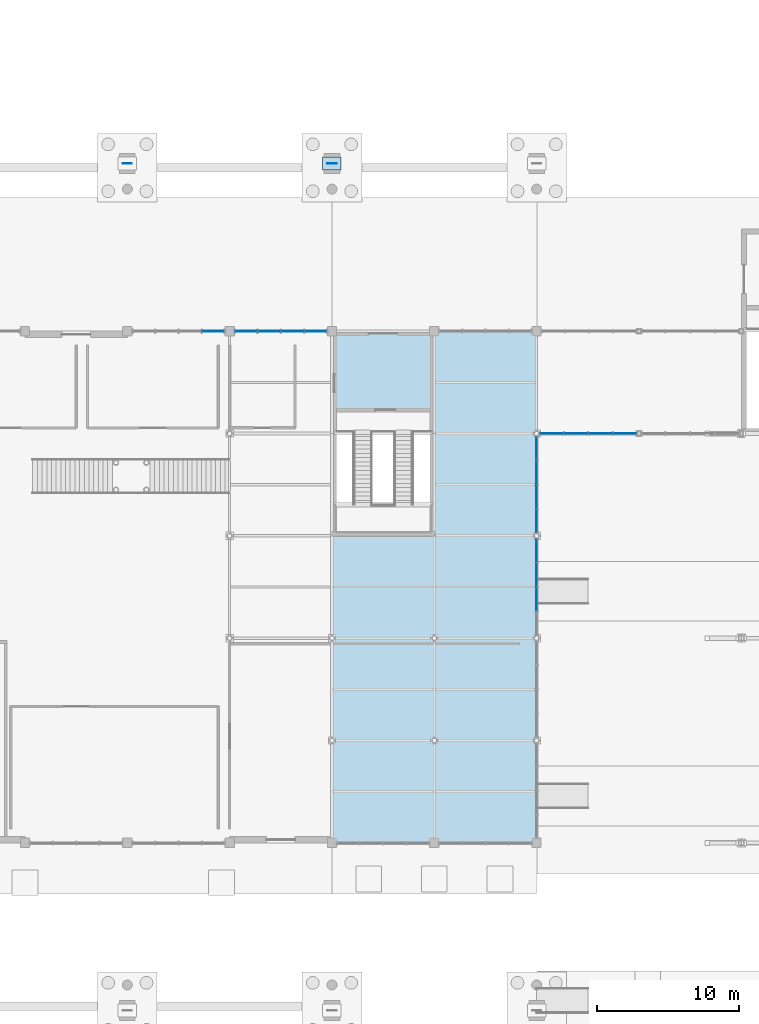
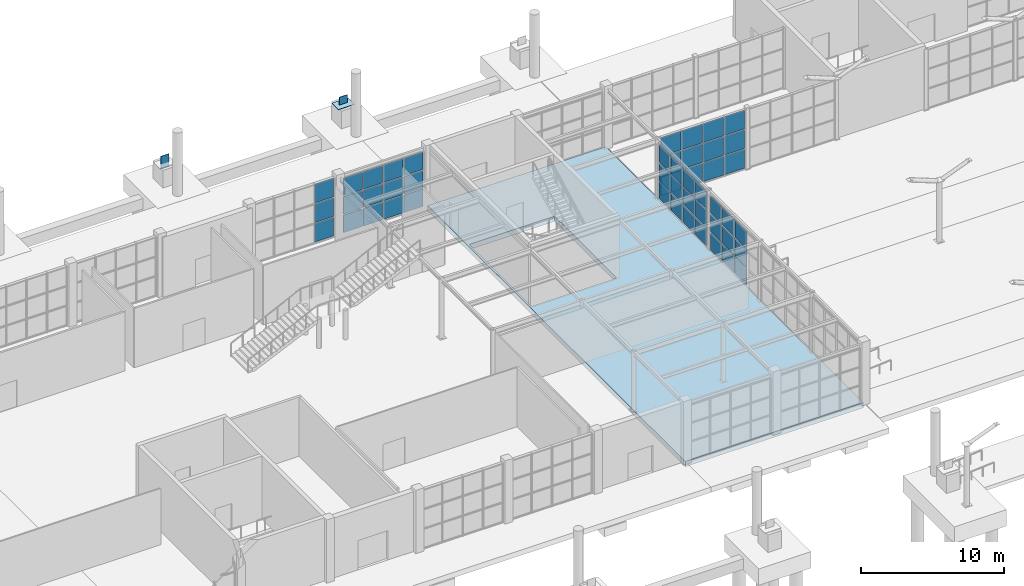
# One storey, part 45 of 75: 51 plates, 1 slab, 5 elements without a shape of their own.
"""IFC4 building model written with IfcOpenShell, lengths in metres."""

from ifc_helpers import new_model, si_unit, direction, frame, origin, origin_2d, place, context, subcontext, project, spatial, polyline, rectangle, outline, extrude, material, layer, layer_set, type_object, element, aggregate, save


model = new_model("IFC4")

# Units and contexts
model_context = context("Model", 3, precision=1e-05, world=origin(), true_north=direction((0.0, 1.0)))
body_context = subcontext(model_context, "Body", "Model", "MODEL_VIEW")
ifc_project = project(units=[si_unit("LENGTHUNIT", "METRE"), si_unit("AREAUNIT", "SQUARE_METRE"), si_unit("VOLUMEUNIT", "CUBIC_METRE"), si_unit("PLANEANGLEUNIT", "RADIAN"), si_unit("MASSUNIT", "GRAM", prefix="KILO")], contexts=[model_context])

# Site, building, storey
site_placement = place(None, origin())
site = spatial("IfcSite", under=ifc_project, at=site_placement, CompositionType="ELEMENT")
building_placement = place(site_placement, origin())
building = spatial("IfcBuilding", under=site, at=building_placement, Name="Leyfeld Transit Interchange", CompositionType="ELEMENT")
storey_placement = place(building_placement, origin())
storey = spatial("IfcBuildingStorey", under=building, at=storey_placement, Name="L00", CompositionType="ELEMENT", Elevation=0.0)

# Curtain wall, plates
ifc_material_1 = material(Name="Anodised aluminium EN AW-6060 T66", Category="aluminium")
curtain_wall_type_1 = type_object("IfcCurtainWallType", Name="CW-SYS-PAS-7200", PredefinedType="NOTDEFINED", material=ifc_material_1)
curtain_wall_1_placement = place(storey_placement, origin())
curtain_wall_1 = element("IfcCurtainWall", 1, at=curtain_wall_1_placement, inside=storey, type_object=curtain_wall_type_1, Name="Curtain Wall CW-L00-027", PredefinedType="NOTDEFINED")
ifc_material_2 = material(Name="Triple low-E insulated glazing", Category="glass")
ifc_layer_1 = layer(ifc_material_2, 0.0380859375, Name="Triple low-E insulated glazing")
ifc_layer_set_1 = layer_set([ifc_layer_1], Name="Triple low-E insulated glazing")
plate_type_1 = type_object("IfcPlateType", Name="CW-PNL-GLZ-38", PredefinedType="CURTAIN_PANEL", material=ifc_layer_set_1)
plate_1_placement = place(storey_placement, frame((107.001708984375, 43.199951171875, 0.073486328125), z_axis=(0.0, 0.0, 1.0), x_axis=(-1.0, 0.0, 0.0)))
plate_1 = element("IfcPlate", 2, at=plate_1_placement, type_object=plate_type_1, Name="Glazed Curtain Panel CW-L00-027-P01_1", PredefinedType="CURTAIN_PANEL", context=body_context, shape_type="SweptSolid", body=[
    extrude(rectangle(XDim=1.619873046875, YDim=0.0380859375, at=origin_2d()), origin(), (0.0, 0.0, 1.0), 1.60302734375),
])
plate_2_placement = place(storey_placement, frame((107.001708984375, 43.199951171875, 1.74853515625), z_axis=(0.0, 0.0, 1.0), x_axis=(-1.0, 0.0, 0.0)))
plate_2 = element("IfcPlate", 3, at=plate_2_placement, type_object=plate_type_1, Name="Glazed Curtain Panel CW-L00-027-P01_2", PredefinedType="CURTAIN_PANEL", context=body_context, shape_type="SweptSolid", body=[
    extrude(rectangle(XDim=1.619873046875, YDim=0.0380859375, at=origin_2d()), origin(), (0.0, 0.0, 1.0), 1.60302734375),
])
plate_3_placement = place(storey_placement, frame((107.001708984375, 43.199951171875, 3.423583984375), z_axis=(0.0, 0.0, 1.0), x_axis=(-1.0, 0.0, 0.0)))
plate_3 = element("IfcPlate", 4, at=plate_3_placement, type_object=plate_type_1, Name="Glazed Curtain Panel CW-L00-027-P01_3", PredefinedType="CURTAIN_PANEL", context=body_context, shape_type="SweptSolid", body=[
    extrude(rectangle(XDim=1.619873046875, YDim=0.0380859375, at=origin_2d()), origin(), (0.0, 0.0, 1.0), 1.60302734375),
])
plate_4_placement = place(storey_placement, frame((105.291015625, 43.199951171875, 0.073486328125), z_axis=(0.0, 0.0, 1.0), x_axis=(-1.0, 0.0, 0.0)))
plate_4 = element("IfcPlate", 5, at=plate_4_placement, type_object=plate_type_1, Name="Glazed Curtain Panel CW-L00-027-P02_1", PredefinedType="CURTAIN_PANEL", context=body_context, shape_type="SweptSolid", body=[
    extrude(rectangle(XDim=1.6572265625, YDim=0.0380859375, at=origin_2d()), origin(), (0.0, 0.0, 1.0), 1.60302734375),
])
plate_5_placement = place(storey_placement, frame((105.291015625, 43.199951171875, 1.74853515625), z_axis=(0.0, 0.0, 1.0), x_axis=(-1.0, 0.0, 0.0)))
plate_5 = element("IfcPlate", 6, at=plate_5_placement, type_object=plate_type_1, Name="Glazed Curtain Panel CW-L00-027-P02_2", PredefinedType="CURTAIN_PANEL", context=body_context, shape_type="SweptSolid", body=[
    extrude(rectangle(XDim=1.6572265625, YDim=0.0380859375, at=origin_2d()), origin(), (0.0, 0.0, 1.0), 1.60302734375),
])
plate_6_placement = place(storey_placement, frame((105.291015625, 43.199951171875, 3.423583984375), z_axis=(0.0, 0.0, 1.0), x_axis=(-1.0, 0.0, 0.0)))
plate_6 = element("IfcPlate", 7, at=plate_6_placement, type_object=plate_type_1, Name="Glazed Curtain Panel CW-L00-027-P02_3", PredefinedType="CURTAIN_PANEL", context=body_context, shape_type="SweptSolid", body=[
    extrude(rectangle(XDim=1.6572265625, YDim=0.0380859375, at=origin_2d()), origin(), (0.0, 0.0, 1.0), 1.60302734375),
])
plate_7_placement = place(storey_placement, frame((103.561767578125, 43.199951171875, 0.073486328125), z_axis=(0.0, 0.0, 1.0), x_axis=(-1.0, 0.0, 0.0)))
plate_7 = element("IfcPlate", 8, at=plate_7_placement, type_object=plate_type_1, Name="Glazed Curtain Panel CW-L00-027-P03_1", PredefinedType="CURTAIN_PANEL", context=body_context, shape_type="SweptSolid", body=[
    extrude(rectangle(XDim=1.6572265625, YDim=0.0380859375, at=origin_2d()), origin(), (0.0, 0.0, 1.0), 1.60302734375),
])
plate_8_placement = place(storey_placement, frame((103.561767578125, 43.199951171875, 1.74853515625), z_axis=(0.0, 0.0, 1.0), x_axis=(-1.0, 0.0, 0.0)))
plate_8 = element("IfcPlate", 9, at=plate_8_placement, type_object=plate_type_1, Name="Glazed Curtain Panel CW-L00-027-P03_2", PredefinedType="CURTAIN_PANEL", context=body_context, shape_type="SweptSolid", body=[
    extrude(rectangle(XDim=1.6572265625, YDim=0.0380859375, at=origin_2d()), origin(), (0.0, 0.0, 1.0), 1.60302734375),
])
plate_9_placement = place(storey_placement, frame((103.561767578125, 43.199951171875, 3.423583984375), z_axis=(0.0, 0.0, 1.0), x_axis=(-1.0, 0.0, 0.0)))
plate_9 = element("IfcPlate", 10, at=plate_9_placement, type_object=plate_type_1, Name="Glazed Curtain Panel CW-L00-027-P03_3", PredefinedType="CURTAIN_PANEL", context=body_context, shape_type="SweptSolid", body=[
    extrude(rectangle(XDim=1.6572265625, YDim=0.0380859375, at=origin_2d()), origin(), (0.0, 0.0, 1.0), 1.60302734375),
])
plate_10_placement = place(storey_placement, frame((101.851318359375, 43.199951171875, 0.073486328125), z_axis=(0.0, 0.0, 1.0), x_axis=(-1.0, 0.0, 0.0)))
plate_10 = element("IfcPlate", 11, at=plate_10_placement, type_object=plate_type_1, Name="Glazed Curtain Panel CW-L00-027-P04_1", PredefinedType="CURTAIN_PANEL", context=body_context, shape_type="SweptSolid", body=[
    extrude(rectangle(XDim=1.619873046875, YDim=0.0380859375, at=origin_2d()), origin(), (0.0, 0.0, 1.0), 1.60302734375),
])
plate_11_placement = place(storey_placement, frame((101.851318359375, 43.199951171875, 1.74853515625), z_axis=(0.0, 0.0, 1.0), x_axis=(-1.0, 0.0, 0.0)))
plate_11 = element("IfcPlate", 12, at=plate_11_placement, type_object=plate_type_1, Name="Glazed Curtain Panel CW-L00-027-P04_2", PredefinedType="CURTAIN_PANEL", context=body_context, shape_type="SweptSolid", body=[
    extrude(rectangle(XDim=1.619873046875, YDim=0.0380859375, at=origin_2d()), origin(), (0.0, 0.0, 1.0), 1.60302734375),
])
plate_12_placement = place(storey_placement, frame((101.851318359375, 43.199951171875, 3.423583984375), z_axis=(0.0, 0.0, 1.0), x_axis=(-1.0, 0.0, 0.0)))
plate_12 = element("IfcPlate", 13, at=plate_12_placement, type_object=plate_type_1, Name="Glazed Curtain Panel CW-L00-027-P04_3", PredefinedType="CURTAIN_PANEL", context=body_context, shape_type="SweptSolid", body=[
    extrude(rectangle(XDim=1.619873046875, YDim=0.0380859375, at=origin_2d()), origin(), (0.0, 0.0, 1.0), 1.60302734375),
])
aggregate(curtain_wall_1, [plate_1, plate_2, plate_3, plate_4, plate_5, plate_6, plate_7, plate_8, plate_9, plate_10, plate_11, plate_12])

curtain_wall_type_2 = type_object("IfcCurtainWallType", Name="CW-SYS-ARC-7200", PredefinedType="NOTDEFINED", material=ifc_material_1)
curtain_wall_2_placement = place(storey_placement, origin())
curtain_wall_2 = element("IfcCurtainWall", 14, at=curtain_wall_2_placement, inside=storey, type_object=curtain_wall_type_2, Name="Curtain Wall CW-L00-017", PredefinedType="NOTDEFINED")
ifc_layer_2 = layer(ifc_material_2, 0.0439453125, Name="Triple low-E insulated glazing")
ifc_layer_set_2 = layer_set([ifc_layer_2], Name="Triple low-E insulated glazing")
plate_type_2 = type_object("IfcPlateType", Name="CW-PNL-GLZ-44", PredefinedType="CURTAIN_PANEL", material=ifc_layer_set_2)
plate_13_placement = place(storey_placement, frame((78.04248046875, 50.39990234375, 0.08349609375), z_axis=(0.0, 0.0, 1.0), x_axis=(1.0, 0.0, 0.0)))
plate_13 = element("IfcPlate", 15, at=plate_13_placement, type_object=plate_type_2, Name="Glazed Curtain Panel CW-L00-017-P04_1", PredefinedType="CURTAIN_PANEL", context=body_context, shape_type="SweptSolid", body=[
    extrude(rectangle(XDim=1.51806640625, YDim=0.0439453125, at=origin_2d()), origin(), (0.0, 0.0, 1.0), 1.589599609375),
])
plate_14_placement = place(storey_placement, frame((78.04248046875, 50.39990234375, 1.75537109375), z_axis=(0.0, 0.0, 1.0), x_axis=(1.0, 0.0, 0.0)))
plate_14 = element("IfcPlate", 16, at=plate_14_placement, type_object=plate_type_2, Name="Glazed Curtain Panel CW-L00-017-P04_2", PredefinedType="CURTAIN_PANEL", context=body_context, shape_type="SweptSolid", body=[
    extrude(rectangle(XDim=1.51806640625, YDim=0.0439453125, at=origin_2d()), origin(), (0.0, 0.0, 1.0), 1.589599609375),
])
plate_15_placement = place(storey_placement, frame((78.04248046875, 50.39990234375, 3.4267578125), z_axis=(0.0, 0.0, 1.0), x_axis=(1.0, 0.0, 0.0)))
plate_15 = element("IfcPlate", 17, at=plate_15_placement, type_object=plate_type_2, Name="Glazed Curtain Panel CW-L00-017-P04_3", PredefinedType="CURTAIN_PANEL", context=body_context, shape_type="SweptSolid", body=[
    extrude(rectangle(XDim=1.51806640625, YDim=0.0439453125, at=origin_2d()), origin(), (0.0, 0.0, 1.0), 1.589599609375),
])
aggregate(curtain_wall_2, [plate_13, plate_14, plate_15])

curtain_wall_3_placement = place(storey_placement, origin())
curtain_wall_3 = element("IfcCurtainWall", 18, at=curtain_wall_3_placement, inside=storey, type_object=curtain_wall_type_2, Name="Curtain Wall CW-L00-018", PredefinedType="NOTDEFINED")
plate_16_placement = place(storey_placement, frame((80.357421875, 50.39990234375, 0.08349609375), z_axis=(0.0, 0.0, 1.0), x_axis=(1.0, 0.0, 0.0)))
plate_16 = element("IfcPlate", 19, at=plate_16_placement, type_object=plate_type_2, Name="Glazed Curtain Panel CW-L00-018-P01_1", PredefinedType="CURTAIN_PANEL", context=body_context, shape_type="SweptSolid", body=[
    extrude(rectangle(XDim=1.51806640625, YDim=0.0439453125, at=origin_2d()), origin(), (0.0, 0.0, 1.0), 1.48974609375),
])
plate_17_placement = place(storey_placement, frame((80.357421875, 50.39990234375, 1.6552734375), z_axis=(0.0, 0.0, 1.0), x_axis=(1.0, 0.0, 0.0)))
plate_17 = element("IfcPlate", 20, at=plate_17_placement, type_object=plate_type_2, Name="Glazed Curtain Panel CW-L00-018-P01_2", PredefinedType="CURTAIN_PANEL", context=body_context, shape_type="SweptSolid", body=[
    extrude(rectangle(XDim=1.51806640625, YDim=0.0439453125, at=origin_2d()), origin(), (0.0, 0.0, 1.0), 1.489501953125),
])
plate_18_placement = place(storey_placement, frame((80.357421875, 50.39990234375, 3.226806640625), z_axis=(0.0, 0.0, 1.0), x_axis=(1.0, 0.0, 0.0)))
plate_18 = element("IfcPlate", 21, at=plate_18_placement, type_object=plate_type_2, Name="Glazed Curtain Panel CW-L00-018-P01_3", PredefinedType="CURTAIN_PANEL", context=body_context, shape_type="SweptSolid", body=[
    extrude(rectangle(XDim=1.51806640625, YDim=0.0439453125, at=origin_2d()), origin(), (0.0, 0.0, 1.0), 1.48974609375),
])
plate_19_placement = place(storey_placement, frame((81.978759765625, 50.39990234375, 0.08349609375), z_axis=(0.0, 0.0, 1.0), x_axis=(1.0, 0.0, 0.0)))
plate_19 = element("IfcPlate", 22, at=plate_19_placement, type_object=plate_type_2, Name="Glazed Curtain Panel CW-L00-018-P02_1", PredefinedType="CURTAIN_PANEL", context=body_context, shape_type="SweptSolid", body=[
    extrude(rectangle(XDim=1.560546875, YDim=0.0439453125, at=origin_2d()), origin(), (0.0, 0.0, 1.0), 1.48974609375),
])
plate_20_placement = place(storey_placement, frame((81.978759765625, 50.39990234375, 1.6552734375), z_axis=(0.0, 0.0, 1.0), x_axis=(1.0, 0.0, 0.0)))
plate_20 = element("IfcPlate", 23, at=plate_20_placement, type_object=plate_type_2, Name="Glazed Curtain Panel CW-L00-018-P02_2", PredefinedType="CURTAIN_PANEL", context=body_context, shape_type="SweptSolid", body=[
    extrude(rectangle(XDim=1.560546875, YDim=0.0439453125, at=origin_2d()), origin(), (0.0, 0.0, 1.0), 1.489501953125),
])
plate_21_placement = place(storey_placement, frame((81.978759765625, 50.39990234375, 3.226806640625), z_axis=(0.0, 0.0, 1.0), x_axis=(1.0, 0.0, 0.0)))
plate_21 = element("IfcPlate", 24, at=plate_21_placement, type_object=plate_type_2, Name="Glazed Curtain Panel CW-L00-018-P02_3", PredefinedType="CURTAIN_PANEL", context=body_context, shape_type="SweptSolid", body=[
    extrude(rectangle(XDim=1.560546875, YDim=0.0439453125, at=origin_2d()), origin(), (0.0, 0.0, 1.0), 1.48974609375),
])
plate_22_placement = place(storey_placement, frame((83.621337890625, 50.39990234375, 0.08349609375), z_axis=(0.0, 0.0, 1.0), x_axis=(1.0, 0.0, 0.0)))
plate_22 = element("IfcPlate", 25, at=plate_22_placement, type_object=plate_type_2, Name="Glazed Curtain Panel CW-L00-018-P03_1", PredefinedType="CURTAIN_PANEL", context=body_context, shape_type="SweptSolid", body=[
    extrude(rectangle(XDim=1.560546875, YDim=0.0439453125, at=origin_2d()), origin(), (0.0, 0.0, 1.0), 1.48974609375),
])
plate_23_placement = place(storey_placement, frame((83.621337890625, 50.39990234375, 1.6552734375), z_axis=(0.0, 0.0, 1.0), x_axis=(1.0, 0.0, 0.0)))
plate_23 = element("IfcPlate", 26, at=plate_23_placement, type_object=plate_type_2, Name="Glazed Curtain Panel CW-L00-018-P03_2", PredefinedType="CURTAIN_PANEL", context=body_context, shape_type="SweptSolid", body=[
    extrude(rectangle(XDim=1.560546875, YDim=0.0439453125, at=origin_2d()), origin(), (0.0, 0.0, 1.0), 1.489501953125),
])
plate_24_placement = place(storey_placement, frame((83.621337890625, 50.39990234375, 3.226806640625), z_axis=(0.0, 0.0, 1.0), x_axis=(1.0, 0.0, 0.0)))
plate_24 = element("IfcPlate", 27, at=plate_24_placement, type_object=plate_type_2, Name="Glazed Curtain Panel CW-L00-018-P03_3", PredefinedType="CURTAIN_PANEL", context=body_context, shape_type="SweptSolid", body=[
    extrude(rectangle(XDim=1.560546875, YDim=0.0439453125, at=origin_2d()), origin(), (0.0, 0.0, 1.0), 1.48974609375),
])
plate_25_placement = place(storey_placement, frame((85.242431640625, 50.39990234375, 0.08349609375), z_axis=(0.0, 0.0, 1.0), x_axis=(1.0, 0.0, 0.0)))
plate_25 = element("IfcPlate", 28, at=plate_25_placement, type_object=plate_type_2, Name="Glazed Curtain Panel CW-L00-018-P04_1", PredefinedType="CURTAIN_PANEL", context=body_context, shape_type="SweptSolid", body=[
    extrude(rectangle(XDim=1.51806640625, YDim=0.0439453125, at=origin_2d()), origin(), (0.0, 0.0, 1.0), 1.48974609375),
])
plate_26_placement = place(storey_placement, frame((85.242431640625, 50.39990234375, 1.6552734375), z_axis=(0.0, 0.0, 1.0), x_axis=(1.0, 0.0, 0.0)))
plate_26 = element("IfcPlate", 29, at=plate_26_placement, type_object=plate_type_2, Name="Glazed Curtain Panel CW-L00-018-P04_2", PredefinedType="CURTAIN_PANEL", context=body_context, shape_type="SweptSolid", body=[
    extrude(rectangle(XDim=1.51806640625, YDim=0.0439453125, at=origin_2d()), origin(), (0.0, 0.0, 1.0), 1.489501953125),
])
plate_27_placement = place(storey_placement, frame((85.242431640625, 50.39990234375, 3.226806640625), z_axis=(0.0, 0.0, 1.0), x_axis=(1.0, 0.0, 0.0)))
plate_27 = element("IfcPlate", 30, at=plate_27_placement, type_object=plate_type_2, Name="Glazed Curtain Panel CW-L00-018-P04_3", PredefinedType="CURTAIN_PANEL", context=body_context, shape_type="SweptSolid", body=[
    extrude(rectangle(XDim=1.51806640625, YDim=0.0439453125, at=origin_2d()), origin(), (0.0, 0.0, 1.0), 1.48974609375),
])
aggregate(curtain_wall_3, [plate_16, plate_17, plate_18, plate_19, plate_20, plate_21, plate_22, plate_23, plate_24, plate_25, plate_26, plate_27])

curtain_wall_4_placement = place(storey_placement, origin())
curtain_wall_4 = element("IfcCurtainWall", 31, at=curtain_wall_4_placement, inside=storey, type_object=curtain_wall_type_2, Name="Curtain Wall CW-L00-028", PredefinedType="NOTDEFINED")
plate_28_placement = place(storey_placement, frame((100.800048828125, 42.15283203125, 0.08349609375), z_axis=(0.0, 0.0, 1.0), x_axis=(0.0, -1.0, 0.0)))
plate_28 = element("IfcPlate", 32, at=plate_28_placement, type_object=plate_type_2, Name="Glazed Curtain Panel CW-L00-028-P01_1", PredefinedType="CURTAIN_PANEL", context=body_context, shape_type="SweptSolid", body=[
    extrude(rectangle(XDim=1.591552734375, YDim=0.0439453125, at=origin_2d()), origin(), (0.0, 0.0, 1.0), 1.479736328125),
])
plate_29_placement = place(storey_placement, frame((100.800048828125, 42.15283203125, 1.645263671875), z_axis=(0.0, 0.0, 1.0), x_axis=(0.0, -1.0, 0.0)))
plate_29 = element("IfcPlate", 33, at=plate_29_placement, type_object=plate_type_2, Name="Glazed Curtain Panel CW-L00-028-P01_2", PredefinedType="CURTAIN_PANEL", context=body_context, shape_type="SweptSolid", body=[
    extrude(rectangle(XDim=1.591552734375, YDim=0.0439453125, at=origin_2d()), origin(), (0.0, 0.0, 1.0), 1.4794921875),
])
plate_30_placement = place(storey_placement, frame((100.800048828125, 42.15283203125, 3.20654296875), z_axis=(0.0, 0.0, 1.0), x_axis=(0.0, -1.0, 0.0)))
plate_30 = element("IfcPlate", 34, at=plate_30_placement, type_object=plate_type_2, Name="Glazed Curtain Panel CW-L00-028-P01_3", PredefinedType="CURTAIN_PANEL", context=body_context, shape_type="SweptSolid", body=[
    extrude(rectangle(XDim=1.591552734375, YDim=0.0439453125, at=origin_2d()), origin(), (0.0, 0.0, 1.0), 1.479736328125),
])
plate_31_placement = place(storey_placement, frame((100.800048828125, 40.4580078125, 0.08349609375), z_axis=(0.0, 0.0, 1.0), x_axis=(0.0, -1.0, 0.0)))
plate_31 = element("IfcPlate", 35, at=plate_31_placement, type_object=plate_type_2, Name="Glazed Curtain Panel CW-L00-028-P02_1", PredefinedType="CURTAIN_PANEL", context=body_context, shape_type="SweptSolid", body=[
    extrude(rectangle(XDim=1.634033203125, YDim=0.0439453125, at=origin_2d()), origin(), (0.0, 0.0, 1.0), 1.479736328125),
])
plate_32_placement = place(storey_placement, frame((100.800048828125, 40.4580078125, 1.645263671875), z_axis=(0.0, 0.0, 1.0), x_axis=(0.0, -1.0, 0.0)))
plate_32 = element("IfcPlate", 36, at=plate_32_placement, type_object=plate_type_2, Name="Glazed Curtain Panel CW-L00-028-P02_2", PredefinedType="CURTAIN_PANEL", context=body_context, shape_type="SweptSolid", body=[
    extrude(rectangle(XDim=1.634033203125, YDim=0.0439453125, at=origin_2d()), origin(), (0.0, 0.0, 1.0), 1.4794921875),
])
plate_33_placement = place(storey_placement, frame((100.800048828125, 40.4580078125, 3.20654296875), z_axis=(0.0, 0.0, 1.0), x_axis=(0.0, -1.0, 0.0)))
plate_33 = element("IfcPlate", 37, at=plate_33_placement, type_object=plate_type_2, Name="Glazed Curtain Panel CW-L00-028-P02_3", PredefinedType="CURTAIN_PANEL", context=body_context, shape_type="SweptSolid", body=[
    extrude(rectangle(XDim=1.634033203125, YDim=0.0439453125, at=origin_2d()), origin(), (0.0, 0.0, 1.0), 1.479736328125),
])
plate_34_placement = place(storey_placement, frame((100.800048828125, 38.741943359375, 0.08349609375), z_axis=(0.0, 0.0, 1.0), x_axis=(0.0, -1.0, 0.0)))
plate_34 = element("IfcPlate", 38, at=plate_34_placement, type_object=plate_type_2, Name="Glazed Curtain Panel CW-L00-028-P03_1", PredefinedType="CURTAIN_PANEL", context=body_context, shape_type="SweptSolid", body=[
    extrude(rectangle(XDim=1.634033203125, YDim=0.0439453125, at=origin_2d()), origin(), (0.0, 0.0, 1.0), 1.479736328125),
])
plate_35_placement = place(storey_placement, frame((100.800048828125, 38.741943359375, 1.645263671875), z_axis=(0.0, 0.0, 1.0), x_axis=(0.0, -1.0, 0.0)))
plate_35 = element("IfcPlate", 39, at=plate_35_placement, type_object=plate_type_2, Name="Glazed Curtain Panel CW-L00-028-P03_2", PredefinedType="CURTAIN_PANEL", context=body_context, shape_type="SweptSolid", body=[
    extrude(rectangle(XDim=1.634033203125, YDim=0.0439453125, at=origin_2d()), origin(), (0.0, 0.0, 1.0), 1.4794921875),
])
plate_36_placement = place(storey_placement, frame((100.800048828125, 38.741943359375, 3.20654296875), z_axis=(0.0, 0.0, 1.0), x_axis=(0.0, -1.0, 0.0)))
plate_36 = element("IfcPlate", 40, at=plate_36_placement, type_object=plate_type_2, Name="Glazed Curtain Panel CW-L00-028-P03_3", PredefinedType="CURTAIN_PANEL", context=body_context, shape_type="SweptSolid", body=[
    extrude(rectangle(XDim=1.634033203125, YDim=0.0439453125, at=origin_2d()), origin(), (0.0, 0.0, 1.0), 1.479736328125),
])
plate_37_placement = place(storey_placement, frame((100.800048828125, 37.047119140625, 0.08349609375), z_axis=(0.0, 0.0, 1.0), x_axis=(0.0, -1.0, 0.0)))
plate_37 = element("IfcPlate", 41, at=plate_37_placement, type_object=plate_type_2, Name="Glazed Curtain Panel CW-L00-028-P04_1", PredefinedType="CURTAIN_PANEL", context=body_context, shape_type="SweptSolid", body=[
    extrude(rectangle(XDim=1.591552734375, YDim=0.0439453125, at=origin_2d()), origin(), (0.0, 0.0, 1.0), 1.479736328125),
])
plate_38_placement = place(storey_placement, frame((100.800048828125, 37.047119140625, 1.645263671875), z_axis=(0.0, 0.0, 1.0), x_axis=(0.0, -1.0, 0.0)))
plate_38 = element("IfcPlate", 42, at=plate_38_placement, type_object=plate_type_2, Name="Glazed Curtain Panel CW-L00-028-P04_2", PredefinedType="CURTAIN_PANEL", context=body_context, shape_type="SweptSolid", body=[
    extrude(rectangle(XDim=1.591552734375, YDim=0.0439453125, at=origin_2d()), origin(), (0.0, 0.0, 1.0), 1.4794921875),
])
plate_39_placement = place(storey_placement, frame((100.800048828125, 37.047119140625, 3.20654296875), z_axis=(0.0, 0.0, 1.0), x_axis=(0.0, -1.0, 0.0)))
plate_39 = element("IfcPlate", 43, at=plate_39_placement, type_object=plate_type_2, Name="Glazed Curtain Panel CW-L00-028-P04_3", PredefinedType="CURTAIN_PANEL", context=body_context, shape_type="SweptSolid", body=[
    extrude(rectangle(XDim=1.591552734375, YDim=0.0439453125, at=origin_2d()), origin(), (0.0, 0.0, 1.0), 1.479736328125),
])
aggregate(curtain_wall_4, [plate_28, plate_29, plate_30, plate_31, plate_32, plate_33, plate_34, plate_35, plate_36, plate_37, plate_38, plate_39])

curtain_wall_5_placement = place(storey_placement, origin())
curtain_wall_5 = element("IfcCurtainWall", 44, at=curtain_wall_5_placement, inside=storey, type_object=curtain_wall_type_2, Name="Curtain Wall CW-L00-029", PredefinedType="NOTDEFINED")
plate_40_placement = place(storey_placement, frame((100.800048828125, 34.952880859375, 0.08349609375), z_axis=(0.0, 0.0, 1.0), x_axis=(0.0, -1.0, 0.0)))
plate_40 = element("IfcPlate", 45, at=plate_40_placement, type_object=plate_type_2, Name="Glazed Curtain Panel CW-L00-029-P01_1", PredefinedType="CURTAIN_PANEL", context=body_context, shape_type="SweptSolid", body=[
    extrude(rectangle(XDim=1.591552734375, YDim=0.0439453125, at=origin_2d()), origin(), (0.0, 0.0, 1.0), 1.479736328125),
])
plate_41_placement = place(storey_placement, frame((100.800048828125, 34.952880859375, 1.645263671875), z_axis=(0.0, 0.0, 1.0), x_axis=(0.0, -1.0, 0.0)))
plate_41 = element("IfcPlate", 46, at=plate_41_placement, type_object=plate_type_2, Name="Glazed Curtain Panel CW-L00-029-P01_2", PredefinedType="CURTAIN_PANEL", context=body_context, shape_type="SweptSolid", body=[
    extrude(rectangle(XDim=1.591552734375, YDim=0.0439453125, at=origin_2d()), origin(), (0.0, 0.0, 1.0), 1.4794921875),
])
plate_42_placement = place(storey_placement, frame((100.800048828125, 34.952880859375, 3.20654296875), z_axis=(0.0, 0.0, 1.0), x_axis=(0.0, -1.0, 0.0)))
plate_42 = element("IfcPlate", 47, at=plate_42_placement, type_object=plate_type_2, Name="Glazed Curtain Panel CW-L00-029-P01_3", PredefinedType="CURTAIN_PANEL", context=body_context, shape_type="SweptSolid", body=[
    extrude(rectangle(XDim=1.591552734375, YDim=0.0439453125, at=origin_2d()), origin(), (0.0, 0.0, 1.0), 1.479736328125),
])
plate_43_placement = place(storey_placement, frame((100.800048828125, 33.258056640625, 0.08349609375), z_axis=(0.0, 0.0, 1.0), x_axis=(0.0, -1.0, 0.0)))
plate_43 = element("IfcPlate", 48, at=plate_43_placement, type_object=plate_type_2, Name="Glazed Curtain Panel CW-L00-029-P02_1", PredefinedType="CURTAIN_PANEL", context=body_context, shape_type="SweptSolid", body=[
    extrude(rectangle(XDim=1.634033203125, YDim=0.0439453125, at=origin_2d()), origin(), (0.0, 0.0, 1.0), 1.479736328125),
])
plate_44_placement = place(storey_placement, frame((100.800048828125, 33.258056640625, 1.645263671875), z_axis=(0.0, 0.0, 1.0), x_axis=(0.0, -1.0, 0.0)))
plate_44 = element("IfcPlate", 49, at=plate_44_placement, type_object=plate_type_2, Name="Glazed Curtain Panel CW-L00-029-P02_2", PredefinedType="CURTAIN_PANEL", context=body_context, shape_type="SweptSolid", body=[
    extrude(rectangle(XDim=1.634033203125, YDim=0.0439453125, at=origin_2d()), origin(), (0.0, 0.0, 1.0), 1.4794921875),
])
plate_45_placement = place(storey_placement, frame((100.800048828125, 33.258056640625, 3.20654296875), z_axis=(0.0, 0.0, 1.0), x_axis=(0.0, -1.0, 0.0)))
plate_45 = element("IfcPlate", 50, at=plate_45_placement, type_object=plate_type_2, Name="Glazed Curtain Panel CW-L00-029-P02_3", PredefinedType="CURTAIN_PANEL", context=body_context, shape_type="SweptSolid", body=[
    extrude(rectangle(XDim=1.634033203125, YDim=0.0439453125, at=origin_2d()), origin(), (0.0, 0.0, 1.0), 1.479736328125),
])
plate_46_placement = place(storey_placement, frame((100.800048828125, 31.5419921875, 0.08349609375), z_axis=(0.0, 0.0, 1.0), x_axis=(0.0, -1.0, 0.0)))
plate_46 = element("IfcPlate", 51, at=plate_46_placement, type_object=plate_type_2, Name="Glazed Curtain Panel CW-L00-029-P03_1", PredefinedType="CURTAIN_PANEL", context=body_context, shape_type="SweptSolid", body=[
    extrude(rectangle(XDim=1.634033203125, YDim=0.0439453125, at=origin_2d()), origin(), (0.0, 0.0, 1.0), 1.479736328125),
])
plate_47_placement = place(storey_placement, frame((100.800048828125, 31.5419921875, 1.645263671875), z_axis=(0.0, 0.0, 1.0), x_axis=(0.0, -1.0, 0.0)))
plate_47 = element("IfcPlate", 52, at=plate_47_placement, type_object=plate_type_2, Name="Glazed Curtain Panel CW-L00-029-P03_2", PredefinedType="CURTAIN_PANEL", context=body_context, shape_type="SweptSolid", body=[
    extrude(rectangle(XDim=1.634033203125, YDim=0.0439453125, at=origin_2d()), origin(), (0.0, 0.0, 1.0), 1.4794921875),
])
plate_48_placement = place(storey_placement, frame((100.800048828125, 31.5419921875, 3.20654296875), z_axis=(0.0, 0.0, 1.0), x_axis=(0.0, -1.0, 0.0)))
plate_48 = element("IfcPlate", 53, at=plate_48_placement, type_object=plate_type_2, Name="Glazed Curtain Panel CW-L00-029-P03_3", PredefinedType="CURTAIN_PANEL", context=body_context, shape_type="SweptSolid", body=[
    extrude(rectangle(XDim=1.634033203125, YDim=0.0439453125, at=origin_2d()), origin(), (0.0, 0.0, 1.0), 1.479736328125),
])
aggregate(curtain_wall_5, [plate_40, plate_41, plate_42, plate_43, plate_44, plate_45, plate_46, plate_47, plate_48])

# Plates
ifc_material_3 = material(Name="Steel S355J2", Category="steel")
ifc_layer_3 = layer(ifc_material_3, 0.035888671875, Name="Steel S355J2")
ifc_layer_set_3 = layer_set([ifc_layer_3], Name="Steel S355J2")
plate_type_3 = type_object("IfcPlateType", Name="PLT-BASE-36", PredefinedType="USERDEFINED", material=ifc_layer_set_3)
plate_49_placement = place(storey_placement, frame((86.39990234375, 62.199951171875, 1.5), z_axis=(0.0, 0.0, 1.0), x_axis=(1.0, 0.0, 0.0)))
element("IfcPlate", 54, at=plate_49_placement, inside=storey, type_object=plate_type_3, Name="Arch Baseplate AR-06 12", ObjectType="BASE_PLATE", PredefinedType="USERDEFINED", context=body_context, shape_type="SweptSolid", body=[
    extrude(rectangle(XDim=1.300048828125, YDim=0.89990234375, at=origin_2d()), origin(), (0.0, 0.0, 1.0), 0.035888671875),
])
ifc_material_4 = material(Name="Steel S355J2 - Ochre Arch", Category="steel")
ifc_layer_4 = layer(ifc_material_4, 0.030029296875, Name="Steel S355J2 - Ochre Arch")
ifc_layer_set_4 = layer_set([ifc_layer_4], Name="Steel S355J2 - Ochre Arch")
plate_type_4 = type_object("IfcPlateType", Name="PLT-CAP-30", PredefinedType="USERDEFINED", material=ifc_layer_set_4)
for number, where, z_axis, x_axis, name in (
    (55, (72.0, 62.199951171875, 1.099853515625), (0.0, 0.0, 1.0), (1.0, 0.0, 0.0), "Arch End Cap Plate AR-05 12"),
    (56, (86.39990234375, 62.199951171875, 1.099853515625), (0.0, 0.0, 1.0), (1.0, 0.0, 0.0), "Arch End Cap Plate AR-06 12"),
):
    element("IfcPlate", number, at=place(storey_placement, frame(where, z_axis=z_axis, x_axis=x_axis)), inside=storey, type_object=plate_type_4, Name=name, ObjectType="FLANGE_PLATE", PredefinedType="USERDEFINED", context=body_context, shape_type="SweptSolid", body=[
        extrude(rectangle(XDim=0.64990234375, YDim=0.030029296875, at=origin_2d()), origin(), (0.0, 0.0, 1.0), 1.10009765625),
    ])

# Slab
ifc_material_5 = material(Name="Concrete C40/50", Category="concrete")
ifc_layer_5 = layer(ifc_material_5, 0.449951171875, Name="Concrete C40/50")
ifc_layer_set_5 = layer_set([ifc_layer_5], Name="Concrete C40/50")
slab_type = type_object("IfcSlabType", Name="SLB-TRF-450", PredefinedType="FLOOR", material=ifc_layer_set_5)
slab_placement = place(storey_placement, frame((0.0, 0.0, -0.449951171875)))
element("IfcSlab", 57, at=slab_placement, inside=storey, type_object=slab_type, Name="Slab V1 L00 B3", PredefinedType="FLOOR", context=body_context, shape_type="SweptSolid", body=[
    extrude(outline(polyline([(100.77490234375, 14.39990234375), (100.77490234375, 50.39990234375), (86.39990234375, 50.39990234375), (86.39990234375, 14.39990234375), (100.77490234375, 14.39990234375)]), holes=[polyline([(93.43994140625, 36.159912109375), (86.56005859375, 36.159912109375), (86.56005859375, 44.85009765625), (93.43994140625, 44.85009765625), (93.43994140625, 36.159912109375)])]), origin(), (0.0, 0.0, 1.0), 0.449951171875),
])

save(model, "model.ifc")
